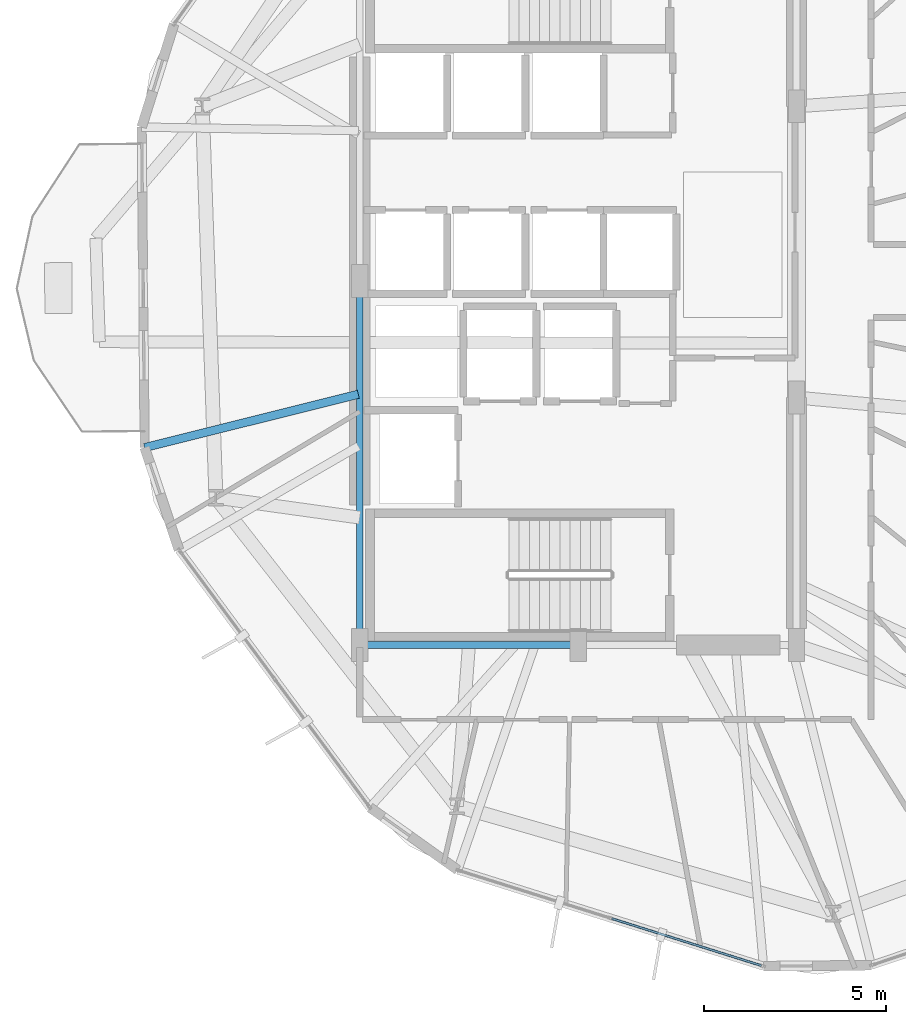
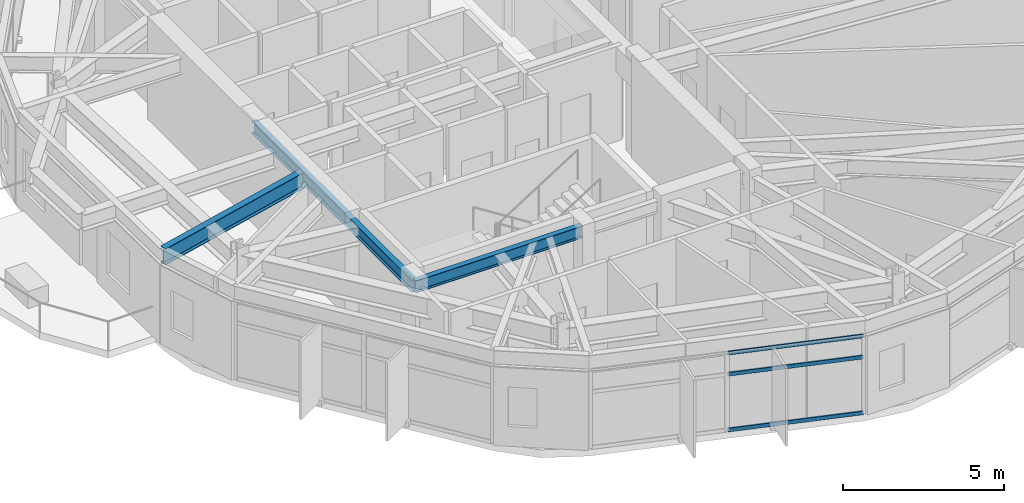
# One storey, part 4 of 27: 3 beams, 3 members, 1 element without a shape of its own.
"""IFC4 building model written with IfcOpenShell, lengths in metres."""

from ifc_helpers import new_model, si_unit, direction, frame, origin, origin_2d, place, context, subcontext, project, spatial, hollow_rectangle, i_section, extrude, material, layer, layer_set, material_profile, profile_set, type_object, element, aggregate, save


model = new_model("IFC4")

# Units and contexts
model_context = context("Model", 3, precision=1e-05, world=origin(), true_north=direction((0.0, 1.0)))
body_context = subcontext(model_context, "Body", "Model", "MODEL_VIEW")
ifc_project = project(units=[si_unit("LENGTHUNIT", "METRE"), si_unit("AREAUNIT", "SQUARE_METRE"), si_unit("VOLUMEUNIT", "CUBIC_METRE"), si_unit("PLANEANGLEUNIT", "RADIAN"), si_unit("MASSUNIT", "GRAM", prefix="KILO")], contexts=[model_context])

# Site, building, storey
site_placement = place(None, origin())
site = spatial("IfcSite", under=ifc_project, at=site_placement, CompositionType="ELEMENT")
building_placement = place(site_placement, origin())
building = spatial("IfcBuilding", under=site, at=building_placement, Name="Soratama Intermodal Tower", CompositionType="ELEMENT")
storey_placement = place(building_placement, frame((0.0, 0.0, 103.0)))
storey = spatial("IfcBuildingStorey", under=building, at=storey_placement, Name="L24", CompositionType="ELEMENT", Elevation=103.0)

# Beams
ifc_material_1 = material(Name="Structural steel ASTM A992 Grade 50", Category="steel")
ifc_material_profile_1 = material_profile(ifc_material_1, i_section(OverallWidth=0.19091796875, OverallDepth=0.4599609375, WebThickness=0.010009765625, FlangeThickness=0.01611328125, FilletRadius=0.010986328125, at=origin_2d()), Name="W18X55")
ifc_profile_set_1 = profile_set([ifc_material_profile_1], Name="Structural steel ASTM A992 Grade 50")
beam_type_1 = type_object("IfcBeamType", Name="BM-FLR-W18X55", PredefinedType="BEAM", material=ifc_profile_set_1)
beam_1_placement = place(storey_placement, frame((32.60009765625, 15.0, 3.3701171875), z_axis=(1.0, 0.0, 0.0), x_axis=(0.0, 1.0, 0.0)))
element("IfcBeam", 1, at=beam_1_placement, inside=storey, type_object=beam_type_1, Name="BM-L24-CRING-01", PredefinedType="BEAM", context=body_context, shape_type="SweptSolid", body=[
    extrude(i_section(OverallWidth=0.19091796875, OverallDepth=0.4599609375, WebThickness=0.010009765625, FlangeThickness=0.01611328125, FilletRadius=0.010986328125, at=origin_2d()), origin(), (0.0, 0.0, 1.0), 6.0),
])
beam_2_placement = place(storey_placement, frame((32.60009765625, 25.0, 3.3701171875), z_axis=(0.0, -1.0, 0.0), x_axis=(1.0, 0.0, 0.0)))
element("IfcBeam", 2, at=beam_2_placement, inside=storey, type_object=beam_type_1, Name="BM-L24-CRING-09", PredefinedType="BEAM", context=body_context, shape_type="SweptSolid", body=[
    extrude(i_section(OverallWidth=0.19091796875, OverallDepth=0.4599609375, WebThickness=0.010009765625, FlangeThickness=0.01611328125, FilletRadius=0.010986328125, at=origin_2d()), origin(), (0.0, 0.0, 1.0), 10.0),
])
ifc_material_2 = material(Name="Structural steel ASTM A992 Grade 50", Category="steel")
ifc_material_profile_2 = material_profile(ifc_material_2, i_section(OverallWidth=0.22900390625, OverallDepth=0.612060546875, WebThickness=0.011962890625, FlangeThickness=0.01953125, FilletRadius=0.012939453125, at=origin_2d()), Name="W24X84")
ifc_profile_set_2 = profile_set([ifc_material_profile_2], Name="Structural steel ASTM A992 Grade 50")
beam_type_2 = type_object("IfcBeamType", Name="BM-TIE-W24X84", PredefinedType="BEAM", material=ifc_profile_set_2)
beam_3_placement = place(storey_placement, frame((32.56103515625, 21.89111328125, 3.2939453125), z_axis=(-0.970170970943, -0.242421713423, 0.0), x_axis=(0.242421713423, -0.970170970943, 0.0)))
element("IfcBeam", 3, at=beam_3_placement, inside=storey, type_object=beam_type_2, Name="BM-L24-TIE1-05", PredefinedType="BEAM", context=body_context, shape_type="SweptSolid", body=[
    extrude(i_section(OverallWidth=0.22900390625, OverallDepth=0.612060546875, WebThickness=0.011962890625, FlangeThickness=0.01953125, FilletRadius=0.012939453125, at=origin_2d()), origin(), (0.0, 0.0, 1.0), 6.051513671875),
])

# Curtain wall, members
ifc_material_3 = material(Name="Double-glazed aluminium curtain wall", Category="aluminium")
ifc_layer = layer(ifc_material_3, 0.159912109375)
ifc_layer_set = layer_set([ifc_layer], Name="Double-glazed aluminium curtain wall")
curtain_wall_type = type_object("IfcCurtainWallType", Name="CW-SYS-3", PredefinedType="NOTDEFINED", material=ifc_layer_set)
curtain_wall_placement = place(storey_placement, origin())
curtain_wall = element("IfcCurtainWall", 4, at=curtain_wall_placement, inside=storey, type_object=curtain_wall_type, Name="L24 Faceted Curtain Wall F07", PredefinedType="NOTDEFINED")
ifc_material_4 = material(Name="Anodised aluminium AA 6063-T6", Category="aluminium")
ifc_material_profile_3 = material_profile(ifc_material_4, hollow_rectangle(XDim=0.06494140625, YDim=0.14990234375, WallThickness=0.0048828125, InnerFilletRadius=0.0048828125, OuterFilletRadius=0.010009765625, at=origin_2d()), Name="CWT150X65X5")
ifc_profile_set_3 = profile_set([ifc_material_profile_3], Name="Anodised aluminium AA 6063-T6")
member_type = type_object("IfcMemberType", Name="TT-CWT-1", PredefinedType="USERDEFINED", material=ifc_profile_set_3)
member_1_placement = place(storey_placement, frame((39.522216796875, 7.484619140625, 0.030029296875), z_axis=(0.953928474516, -0.300034107239, 0.0), x_axis=(0.300034107239, 0.953928474516, 0.0)))
member_1 = element("IfcMember", 5, at=member_1_placement, type_object=member_type, Name="CW-3 transom 2.1", ObjectType="TRANSOM", PredefinedType="USERDEFINED", context=body_context, shape_type="SweptSolid", body=[
    extrude(hollow_rectangle(XDim=0.06494140625, YDim=0.14990234375, WallThickness=0.0048828125, InnerFilletRadius=0.0048828125, OuterFilletRadius=0.010009765625, at=origin_2d()), origin(), (0.0, 0.0, 1.0), 4.3134765625),
])
member_2_placement = place(storey_placement, frame((39.522216796875, 7.484619140625, 2.14990234375), z_axis=(0.953928474516, -0.300034107239, 0.0), x_axis=(0.300034107239, 0.953928474516, 0.0)))
member_2 = element("IfcMember", 6, at=member_2_placement, type_object=member_type, Name="CW-3 transom 2.2", ObjectType="TRANSOM", PredefinedType="USERDEFINED", context=body_context, shape_type="SweptSolid", body=[
    extrude(hollow_rectangle(XDim=0.06494140625, YDim=0.14990234375, WallThickness=0.0048828125, InnerFilletRadius=0.0048828125, OuterFilletRadius=0.010009765625, at=origin_2d()), origin(), (0.0, 0.0, 1.0), 4.3134765625),
])
member_3_placement = place(storey_placement, frame((39.522216796875, 7.484619140625, 2.948974609375), z_axis=(0.953928474516, -0.300034107239, 0.0), x_axis=(0.300034107239, 0.953928474516, 0.0)))
member_3 = element("IfcMember", 7, at=member_3_placement, type_object=member_type, Name="CW-3 transom 2.3", ObjectType="TRANSOM", PredefinedType="USERDEFINED", context=body_context, shape_type="SweptSolid", body=[
    extrude(hollow_rectangle(XDim=0.06494140625, YDim=0.14990234375, WallThickness=0.0048828125, InnerFilletRadius=0.0048828125, OuterFilletRadius=0.010009765625, at=origin_2d()), origin(), (0.0, 0.0, 1.0), 4.3134765625),
])
aggregate(curtain_wall, [member_1, member_2, member_3])

save(model, "model.ifc")
